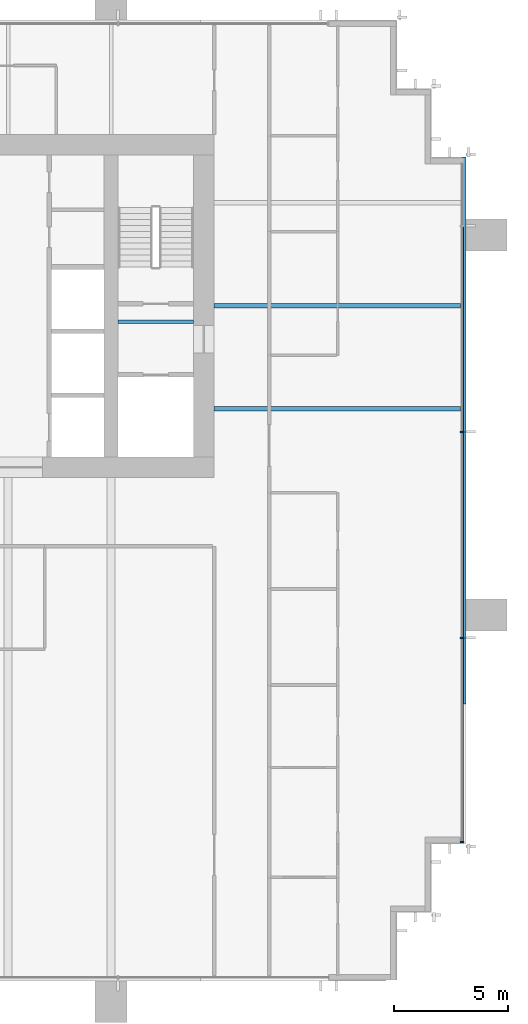
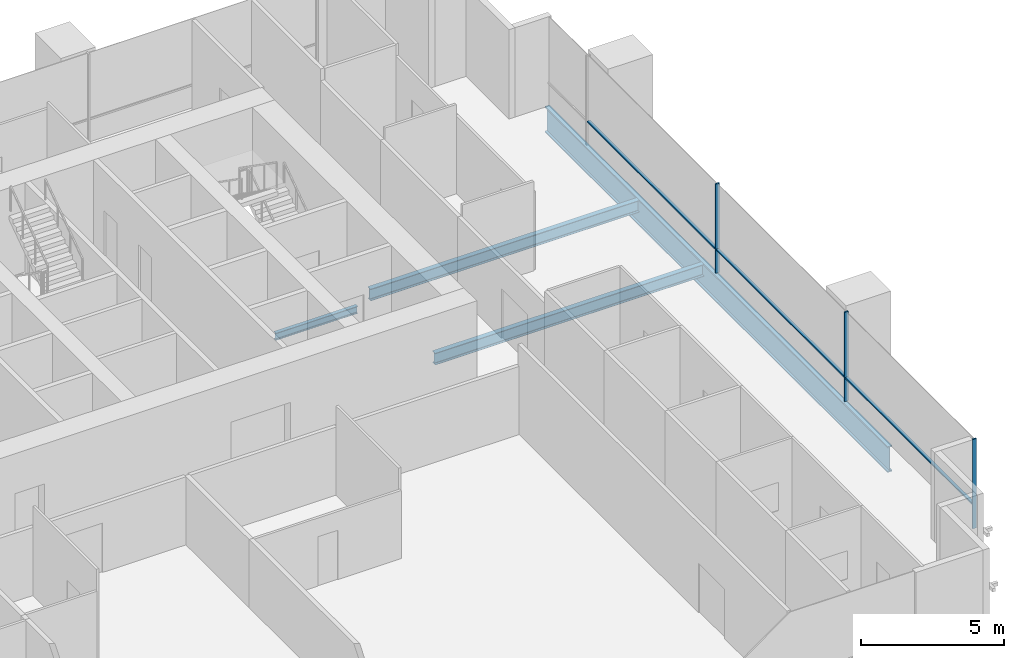
# One storey, part 6 of 15: 6 members, 4 beams, 1 element without a shape of its own.
"""IFC4 building model written with IfcOpenShell, lengths in metres."""

from ifc_helpers import new_model, si_unit, direction, frame, origin, origin_2d, place, context, subcontext, project, spatial, rectangle, i_section, extrude, material, material_profile, profile_set, type_object, element, aggregate, save


model = new_model("IFC4")

# Units and contexts
model_context = context("Model", 3, precision=1e-05, world=origin(), true_north=direction((0.0, 1.0)))
body_context = subcontext(model_context, "Body", "Model", "MODEL_VIEW")
ifc_project = project(units=[si_unit("LENGTHUNIT", "METRE"), si_unit("AREAUNIT", "SQUARE_METRE"), si_unit("VOLUMEUNIT", "CUBIC_METRE"), si_unit("PLANEANGLEUNIT", "RADIAN"), si_unit("MASSUNIT", "GRAM", prefix="KILO")], contexts=[model_context])

# Site, building, storey
site_placement = place(None, origin())
site = spatial("IfcSite", under=ifc_project, at=site_placement, CompositionType="ELEMENT")
building_placement = place(site_placement, origin())
building = spatial("IfcBuilding", under=site, at=building_placement, Name="Rattan Terrace Tower", CompositionType="ELEMENT")
storey_placement = place(building_placement, frame((0.0, 0.0, 142.10009765625)))
storey = spatial("IfcBuildingStorey", under=building, at=storey_placement, Name="L32", CompositionType="ELEMENT", Elevation=142.10009765625)

# Curtain wall, members
ifc_material_1 = material(Name="Aluminium and glass", Category="aluminium")
curtain_wall_type = type_object("IfcCurtainWallType", Name="Facade Unitised Curtain Wall", PredefinedType="NOTDEFINED", material=ifc_material_1)
curtain_wall_placement = place(storey_placement, origin())
curtain_wall = element("IfcCurtainWall", 1, at=curtain_wall_placement, inside=storey, type_object=curtain_wall_type, Name="Curtain wall L32-1", PredefinedType="NOTDEFINED")
ifc_material_2 = material(Name="Aluminium", Category="aluminium")
ifc_material_profile_1 = material_profile(ifc_material_2, rectangle(XDim=0.06005859375, YDim=0.159912109375, at=origin_2d()), Name="Aluminium 60x160")
ifc_profile_set_1 = profile_set([ifc_material_profile_1], Name="Aluminium")
member_type_1 = type_object("IfcMemberType", Name="Facade CW Mullion 60x160", PredefinedType="MULLION", material=ifc_profile_set_1)
member_1_placement = place(storey_placement, frame((28.830078125, -23.425048828125, 0.0), z_axis=(0.0, 0.0, 1.0), x_axis=(0.0, 1.0, 0.0)))
member_1 = element("IfcMember", 2, at=member_1_placement, type_object=member_type_1, Name="Mullion cwl-L32-001.1", PredefinedType="MULLION", context=body_context, shape_type="SweptSolid", body=[
    extrude(rectangle(XDim=0.06005859375, YDim=0.159912109375, at=origin_2d()), origin(), (0.0, 0.0, 1.0), 3.7998046875),
])
member_2_placement = place(storey_placement, frame((28.830078125, -14.5, 0.0), z_axis=(0.0, 0.0, 1.0), x_axis=(0.0, 1.0, 0.0)))
member_2 = element("IfcMember", 3, at=member_2_placement, type_object=member_type_1, Name="Mullion cwl-L32-001.2", PredefinedType="MULLION", context=body_context, shape_type="SweptSolid", body=[
    extrude(rectangle(XDim=0.06005859375, YDim=0.159912109375, at=origin_2d()), origin(), (0.0, 0.0, 1.0), 3.7998046875),
])
member_3_placement = place(storey_placement, frame((28.830078125, -5.5, 0.0), z_axis=(0.0, 0.0, 1.0), x_axis=(0.0, 1.0, 0.0)))
member_3 = element("IfcMember", 4, at=member_3_placement, type_object=member_type_1, Name="Mullion cwl-L32-001.3", PredefinedType="MULLION", context=body_context, shape_type="SweptSolid", body=[
    extrude(rectangle(XDim=0.06005859375, YDim=0.159912109375, at=origin_2d()), origin(), (0.0, 0.0, 1.0), 3.7998046875),
])
ifc_material_3 = material(Name="Aluminium", Category="aluminium")
ifc_material_profile_2 = material_profile(ifc_material_3, rectangle(XDim=0.1201171875, YDim=0.06005859375, at=origin_2d()), Name="Aluminium 120x60")
ifc_profile_set_2 = profile_set([ifc_material_profile_2], Name="Aluminium")
member_type_2 = type_object("IfcMemberType", Name="Facade CW Transom 120x60", PredefinedType="USERDEFINED", material=ifc_profile_set_2)
member_4_placement = place(storey_placement, frame((28.830078125, -23.39501953125, 1.0), z_axis=(0.0, 1.0, 0.0), x_axis=(-1.0, 0.0, 0.0)))
member_4 = element("IfcMember", 5, at=member_4_placement, type_object=member_type_2, Name="Transom cwl-L32-001.1", ObjectType="TRANSOM", PredefinedType="USERDEFINED", context=body_context, shape_type="SweptSolid", body=[
    extrude(rectangle(XDim=0.1201171875, YDim=0.06005859375, at=origin_2d()), origin(), (0.0, 0.0, 1.0), 8.864990234375),
])
member_5_placement = place(storey_placement, frame((28.830078125, -14.469970703125, 1.0), z_axis=(0.0, 1.0, 0.0), x_axis=(-1.0, 0.0, 0.0)))
member_5 = element("IfcMember", 6, at=member_5_placement, type_object=member_type_2, Name="Transom cwl-L32-001.2", ObjectType="TRANSOM", PredefinedType="USERDEFINED", context=body_context, shape_type="SweptSolid", body=[
    extrude(rectangle(XDim=0.1201171875, YDim=0.06005859375, at=origin_2d()), origin(), (0.0, 0.0, 1.0), 8.93994140625),
])
member_6_placement = place(storey_placement, frame((28.830078125, -5.469970703125, 1.0), z_axis=(0.0, 1.0, 0.0), x_axis=(-1.0, 0.0, 0.0)))
member_6 = element("IfcMember", 7, at=member_6_placement, type_object=member_type_2, Name="Transom cwl-L32-001.3", ObjectType="TRANSOM", PredefinedType="USERDEFINED", context=body_context, shape_type="SweptSolid", body=[
    extrude(rectangle(XDim=0.1201171875, YDim=0.06005859375, at=origin_2d()), origin(), (0.0, 0.0, 1.0), 8.93994140625),
])
aggregate(curtain_wall, [member_1, member_2, member_3, member_4, member_5, member_6])

# Beams
ifc_material_4 = material(Name="Steel S460", Category="steel")
ifc_material_profile_3 = material_profile(ifc_material_4, i_section(OverallWidth=0.179931640625, OverallDepth=1.10009765625, WebThickness=0.01611328125, FlangeThickness=0.050048828125, at=origin_2d()), Name="PG 1100x180-16-50")
ifc_profile_set_3 = profile_set([ifc_material_profile_3], Name="Steel S460")
beam_type_1 = type_object("IfcBeamType", Name="Frame edge girder PG 1100x180-16-50", PredefinedType="SPANDREL", material=ifc_profile_set_3)
beam_1_placement = place(storey_placement, frame((28.909912109375, 6.5, -0.75), z_axis=(0.0, -1.0, 0.0), x_axis=(1.0, 0.0, 0.0)))
element("IfcBeam", 8, at=beam_1_placement, inside=storey, type_object=beam_type_1, Name="gdr-L32-004", PredefinedType="SPANDREL", context=body_context, shape_type="SweptSolid", body=[
    extrude(i_section(OverallWidth=0.179931640625, OverallDepth=1.10009765625, WebThickness=0.01611328125, FlangeThickness=0.050048828125, at=origin_2d()), origin(), (0.0, 0.0, 1.0), 23.89990234375),
])
ifc_material_5 = material(Name="Steel S355", Category="steel")
ifc_material_profile_4 = material_profile(ifc_material_5, i_section(OverallWidth=0.14990234375, OverallDepth=0.300048828125, WebThickness=0.007080078125, FlangeThickness=0.0107421875, FilletRadius=0.014892578125, at=origin_2d()), Name="IPE 300")
ifc_profile_set_4 = profile_set([ifc_material_profile_4], Name="Steel S355")
beam_type_2 = type_object("IfcBeamType", Name="Frame floor beam IPE 300", PredefinedType="JOIST", material=ifc_profile_set_4)
beam_2_placement = place(storey_placement, frame((13.800048828125, -0.695068359375, -0.35009765625), z_axis=(1.0, 0.0, 0.0), x_axis=(0.0, 1.0, 0.0)))
element("IfcBeam", 9, at=beam_2_placement, inside=storey, type_object=beam_type_2, Name="bm-L32-002", PredefinedType="JOIST", context=body_context, shape_type="SweptSolid", body=[
    extrude(i_section(OverallWidth=0.14990234375, OverallDepth=0.300048828125, WebThickness=0.007080078125, FlangeThickness=0.0107421875, FilletRadius=0.014892578125, at=origin_2d()), origin(), (0.0, 0.0, 1.0), 3.300048828125),
])
ifc_material_6 = material(Name="Steel S355", Category="steel")
ifc_material_profile_5 = material_profile(ifc_material_6, i_section(OverallWidth=0.199951171875, OverallDepth=0.5, WebThickness=0.01025390625, FlangeThickness=0.01611328125, FilletRadius=0.02099609375, at=origin_2d()), Name="IPE 500")
ifc_profile_set_5 = profile_set([ifc_material_profile_5], Name="Steel S355")
beam_type_3 = type_object("IfcBeamType", Name="Frame floor beam IPE 500", PredefinedType="JOIST", material=ifc_profile_set_5)
for number, where, z_axis, x_axis, name in (
    (10, (18.0, -4.5, -0.4501953125), (1.0, 0.0, 0.0), (0.0, 1.0, 0.0), "bm-L32-011"),
    (11, (18.0, 0.0, -0.4501953125), (1.0, 0.0, 0.0), (0.0, 1.0, 0.0), "bm-L32-013"),
):
    element("IfcBeam", number, at=place(storey_placement, frame(where, z_axis=z_axis, x_axis=x_axis)), inside=storey, type_object=beam_type_3, Name=name, PredefinedType="JOIST", context=body_context, shape_type="SweptSolid", body=[
        extrude(i_section(OverallWidth=0.199951171875, OverallDepth=0.5, WebThickness=0.01025390625, FlangeThickness=0.01611328125, FilletRadius=0.02099609375, at=origin_2d()), origin(), (0.0, 0.0, 1.0), 10.820068359375),
    ])

save(model, "model.ifc")
